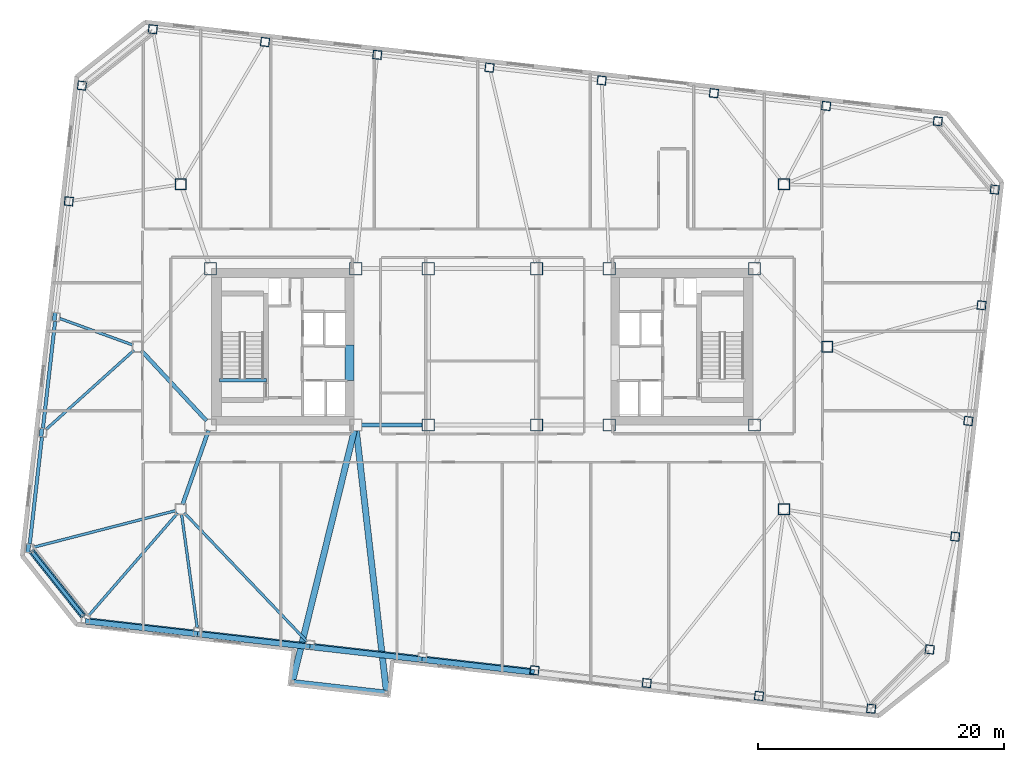
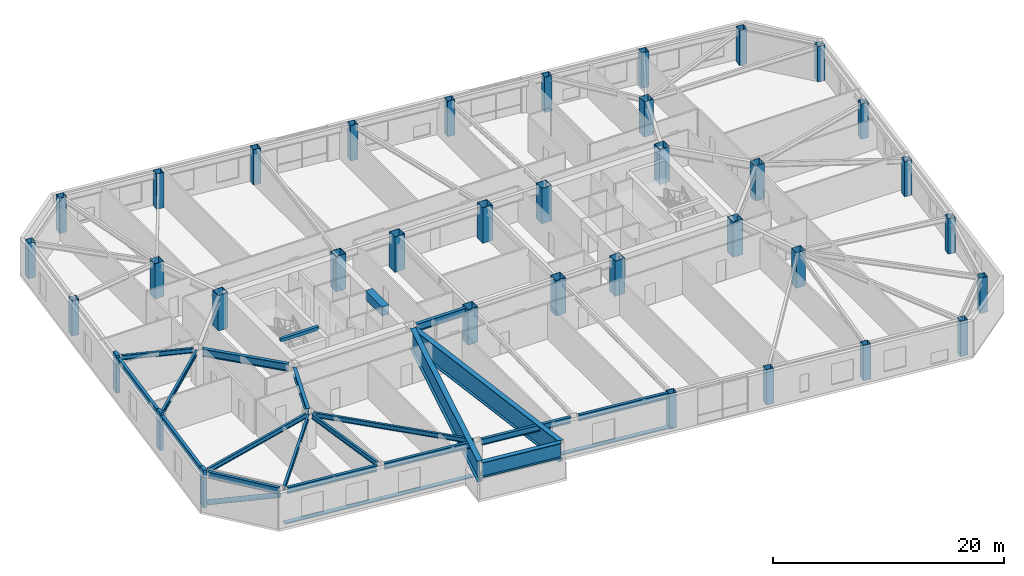
# One storey, part 2 of 19: 33 columns, 21 beams, 8 members.
"""IFC4 building model written with IfcOpenShell, lengths in metres."""

import ifcopenshell
import ifcopenshell.guid

model = None  # the IFC model being written
_history = None  # IfcOwnerHistory: only IFC2X3 demands one
_inside = {}  # id of a spatial element -> (the spatial element, [elements in it])
_under = {}  # id of a project, library or spatial element -> (it, [spatial elements below it])
_declared = {}  # id of a project -> (the project, [libraries it declares])
_typed = {}  # id of a type object -> (the type object, [elements of that type])
_made_of = {}  # id of a material, layer set ... -> (it, [elements and type objects made of it])


def new_model(schema):
    """Start an empty IFC model of exactly this schema.

    Asked for "IFC4X3", IfcOpenShell would pick the latest addendum, in which some entities
    have other attributes; the version numbers below select the first issue.
    IFC2X3 requires an IfcOwnerHistory on every rooted entity: one is made here for all.
    """
    global model, _history
    if schema == "IFC4X3":
        model = ifcopenshell.file(schema_version=(4, 3, 0, 0))
    else:
        model = ifcopenshell.file(schema=schema)
    _inside.clear()
    _under.clear()
    _declared.clear()
    _typed.clear()
    _made_of.clear()
    _history = None
    if model.schema == "IFC2X3":
        org = make("IfcOrganization", Name="unknown")
        user = make(
            "IfcPersonAndOrganization",
            ThePerson=make("IfcPerson", FamilyName="unknown"),
            TheOrganization=org,
        )
        app = make(
            "IfcApplication",
            ApplicationDeveloper=org,
            Version="unknown",
            ApplicationFullName="unknown",
            ApplicationIdentifier="unknown",
        )
        _history = make(
            "IfcOwnerHistory",
            OwningUser=user,
            OwningApplication=app,
            ChangeAction="ADDED",
            CreationDate=0,
        )
    return model


def make(cls, **values):
    """One entity of the class cls with the attributes given. An attribute that is None is left unset."""
    return model.create_entity(
        cls, **{name: value for name, value in values.items() if value is not None}
    )


def rooted(cls, **values):
    """An entity with a GlobalId (a new one), such as an element, a storey or a relation."""
    return make(cls, GlobalId=ifcopenshell.guid.new(), OwnerHistory=_history, **values)


def si_unit(unit_type, name, prefix=None):
    """IfcSIUnit, for example si_unit("LENGTHUNIT", "METRE", prefix="MILLI")."""
    return make("IfcSIUnit", UnitType=unit_type, Prefix=prefix, Name=name)


def assignment(units):
    """IfcUnitAssignment: the units of a project."""
    return None if units is None else make("IfcUnitAssignment", Units=units)


def point(xyz):
    """IfcCartesianPoint."""
    return None if xyz is None else make("IfcCartesianPoint", Coordinates=xyz)


def direction(xyz):
    """IfcDirection."""
    return None if xyz is None else make("IfcDirection", DirectionRatios=xyz)


def frame(location, z_axis=None, x_axis=None):
    """IfcAxis2Placement3D, a coordinate frame: its origin and axes. An axis left out is left unset."""
    return make(
        "IfcAxis2Placement3D",
        Location=point(location),
        Axis=direction(z_axis),
        RefDirection=direction(x_axis),
    )


def frame_2d(location, x_axis=None):
    """IfcAxis2Placement2D, a coordinate frame in the plane: its origin and x axis."""
    return make(
        "IfcAxis2Placement2D", Location=point(location), RefDirection=direction(x_axis)
    )


def origin():
    """The frame at (0, 0, 0) with its axes left unset."""
    return frame((0.0, 0.0, 0.0))


def origin_2d():
    """The frame at (0, 0) in the plane with its x axis left unset."""
    return frame_2d((0.0, 0.0))


def place(relative_to, where):
    """IfcLocalPlacement: puts the frame where relative to a parent placement (None: the world)."""
    return make(
        "IfcLocalPlacement", PlacementRelTo=relative_to, RelativePlacement=where
    )


def context(
    kind, dimensions, precision=None, world=None, true_north=None, identifier=None
):
    """IfcGeometricRepresentationContext, for example the 3D "Model" context."""
    return make(
        "IfcGeometricRepresentationContext",
        ContextIdentifier=identifier,
        ContextType=kind,
        CoordinateSpaceDimension=dimensions,
        Precision=precision,
        WorldCoordinateSystem=world,
        TrueNorth=true_north,
    )


def subcontext(parent, identifier, kind, view, scale=None):
    """IfcGeometricRepresentationSubContext, for example "Body" below "Model"."""
    return make(
        "IfcGeometricRepresentationSubContext",
        ContextIdentifier=identifier,
        ContextType=kind,
        ParentContext=parent,
        TargetScale=scale,
        TargetView=view,
    )


def project(units=None, contexts=None):
    """IfcProject with its units and contexts."""
    return rooted(
        "IfcProject",
        Name="project",
        RepresentationContexts=contexts,
        UnitsInContext=assignment(units),
    )


def spatial(cls, under=None, at=None, **own):
    """A site, building, storey or space (cls), placed at a placement, below another one or the project."""
    s = rooted(cls, ObjectPlacement=at, **own)
    if under is not None:
        _under.setdefault(under.id(), (under, []))[1].append(s)
    return s


def profile(cls, at=None, kind="AREA", **sizes):
    """A parametric profile (cls). Its sizes go by their IFC names, for example OverallWidth=200.0."""
    return make(cls, ProfileType=kind, Position=at, **sizes)


def rectangle(**sizes):
    """IfcRectangleProfileDef."""
    return profile("IfcRectangleProfileDef", **sizes)


def hollow_rectangle(**sizes):
    """IfcRectangleHollowProfileDef."""
    return profile("IfcRectangleHollowProfileDef", **sizes)


def hollow_circle(**sizes):
    """IfcCircleHollowProfileDef."""
    return profile("IfcCircleHollowProfileDef", **sizes)


def i_section(**sizes):
    """IfcIShapeProfileDef."""
    return profile("IfcIShapeProfileDef", **sizes)


def extrude(swept, where, along, depth):
    """IfcExtrudedAreaSolid: the profile swept, set in the frame where, extruded along a direction by depth."""
    return make(
        "IfcExtrudedAreaSolid",
        SweptArea=swept,
        Position=where,
        ExtrudedDirection=direction(along),
        Depth=depth,
    )


def shape(context_of_items, identifier, shape_type, items):
    """IfcShapeRepresentation: the items that make up one representation, for example the "Body"."""
    return make(
        "IfcShapeRepresentation",
        ContextOfItems=context_of_items,
        RepresentationIdentifier=identifier,
        RepresentationType=shape_type,
        Items=items,
    )


def material(Name=None, Category=None):
    """IfcMaterial."""
    return make("IfcMaterial", Name=Name, Category=Category)


def material_profile(
    of_material, cross_section, Name=None, Category=None, Priority=None
):
    """IfcMaterialProfile: a cross section and its material."""
    return make(
        "IfcMaterialProfile",
        Name=Name,
        Material=of_material,
        Profile=cross_section,
        Priority=Priority,
        Category=Category,
    )


def profile_set(profiles, Name=None, composite=None):
    """IfcMaterialProfileSet."""
    return make(
        "IfcMaterialProfileSet",
        Name=Name,
        MaterialProfiles=profiles,
        CompositeProfile=composite,
    )


def made_of(thing, what):
    """Note that an element or type object is made of a material, layer set ...; save() writes the relation."""
    if what is not None:
        _made_of.setdefault(what.id(), (what, []))[1].append(thing)
    return thing


def type_object(cls, material=None, **own):
    """A type object (cls), such as IfcWallType, which elements share."""
    return made_of(rooted(cls, **own), material)


def element(
    cls,
    number,
    at=None,
    inside=None,
    cuts=None,
    type_object=None,
    material=None,
    context=None,
    identifier="Body",
    shape_type=None,
    held_by="IfcProductDefinitionShape",
    body=None,
    shapes=None,
    **own,
):
    """One element of the class cls, such as IfcWall. Its Tag is "e" and its number.

    at: its placement. inside: the storey or other place that contains it. cuts: it is an
    opening in that element (IfcRelVoidsElement). A single representation is given by context,
    identifier, shape_type and body (its items); several are given by shapes. held_by: the class
    of the entity that holds the representations. save() writes the other relations.
    """
    e = rooted(cls, Tag="e%d" % number, ObjectPlacement=at, **own)
    if body is not None:
        shapes = [shape(context, identifier, shape_type, body)]
    if shapes is not None:
        e.Representation = make(held_by, Representations=shapes)
    if inside is not None:
        _inside.setdefault(inside.id(), (inside, []))[1].append(e)
    if cuts is not None:
        rooted(
            "IfcRelVoidsElement", RelatingBuildingElement=cuts, RelatedOpeningElement=e
        )
    if type_object is not None:
        _typed.setdefault(type_object.id(), (type_object, []))[1].append(e)
    return made_of(e, material)


def aggregate(whole, parts):
    """IfcRelAggregates: a whole, such as a stair, and the parts it consists of."""
    return rooted("IfcRelAggregates", RelatingObject=whole, RelatedObjects=parts)


def save(model, path):
    """Write the relations noted so far, then the file.

    IfcRelAggregates (storeys below a building ...), IfcRelContainedInSpatialStructure (elements
    in a storey), IfcRelDefinesByType, IfcRelAssociatesMaterial and IfcRelDeclares: one each for
    every whole, place, type object, material and project.
    """
    for whole, parts in _under.values():
        aggregate(whole, parts)
    for where, things in _inside.values():
        rooted(
            "IfcRelContainedInSpatialStructure",
            RelatedElements=things,
            RelatingStructure=where,
        )
    for kind, things in _typed.values():
        rooted("IfcRelDefinesByType", RelatedObjects=things, RelatingType=kind)
    for what, things in _made_of.values():
        rooted("IfcRelAssociatesMaterial", RelatedObjects=things, RelatingMaterial=what)
    for by, libraries in _declared.values():
        rooted("IfcRelDeclares", RelatingContext=by, RelatedDefinitions=libraries)
    model.write(path)


model = new_model("IFC4")

# Units and contexts
model_context = context("Model", 3, precision=1e-05, world=origin(), true_north=direction((0.0, 1.0)))
body_context = subcontext(model_context, "Body", "Model", "MODEL_VIEW")
ifc_project = project(units=[si_unit("LENGTHUNIT", "METRE"), si_unit("AREAUNIT", "SQUARE_METRE"), si_unit("VOLUMEUNIT", "CUBIC_METRE"), si_unit("PLANEANGLEUNIT", "RADIAN"), si_unit("MASSUNIT", "GRAM", prefix="KILO")], contexts=[model_context])

# Site, building, storey
site_placement = place(None, origin())
site = spatial("IfcSite", under=ifc_project, at=site_placement, CompositionType="ELEMENT")
building_placement = place(site_placement, origin())
building = spatial("IfcBuilding", under=site, at=building_placement, Name="Tavrogorsk Clinical Tower", CompositionType="ELEMENT")
storey_placement = place(building_placement, frame((0.0, 0.0, 97.39990234375)))
storey = spatial("IfcBuildingStorey", under=building, at=storey_placement, Name="L21", CompositionType="ELEMENT", Elevation=97.39990234375)

# Columns
ifc_material_1 = material(Name="Structural steel S440", Category="steel")
ifc_material_profile_1 = material_profile(ifc_material_1, hollow_rectangle(XDim=1.0, YDim=1.0, WallThickness=0.044921875, at=origin_2d()), Name="BOX-1000x1000x45")
ifc_profile_set_1 = profile_set([ifc_material_profile_1], Name="Structural steel S440")
column_type_1 = type_object("IfcColumnType", Name="MegaCol_BOX1000", PredefinedType="COLUMN", material=ifc_profile_set_1)
for number, where, z_axis, x_axis, name in (
    (1, (-22.10009765625, 6.35009765625, 0.0), (0.0, 0.0, 1.0), (1.0, 0.0, 0.0), "L21 Mega Column MC-W2"),
    (2, (-10.300048828125, 6.35009765625, 0.0), (0.0, 0.0, 1.0), (1.0, 0.0, 0.0), "L21 Mega Column MC-W4"),
    (3, (10.300048828125, -6.35009765625, 0.0), (0.0, 0.0, 1.0), (1.0, 0.0, 0.0), "L21 Mega Column MC-E1"),
    (4, (10.300048828125, 6.35009765625, 0.0), (0.0, 0.0, 1.0), (1.0, 0.0, 0.0), "L21 Mega Column MC-E2"),
    (5, (22.10009765625, -6.35009765625, 0.0), (0.0, 0.0, 1.0), (1.0, 0.0, 0.0), "L21 Mega Column MC-E3"),
    (6, (22.10009765625, 6.35009765625, 0.0), (0.0, 0.0, 1.0), (1.0, 0.0, 0.0), "L21 Mega Column MC-E4"),
    (7, (-4.39990234375, -6.35009765625, 0.0), (0.0, 0.0, 1.0), (1.0, 0.0, 0.0), "L21 Mega Column MC-C1"),
    (8, (4.39990234375, -6.35009765625, 0.0), (0.0, 0.0, 1.0), (1.0, 0.0, 0.0), "L21 Mega Column MC-C2"),
    (9, (-4.39990234375, 6.35009765625, 0.0), (0.0, 0.0, 1.0), (1.0, 0.0, 0.0), "L21 Mega Column MC-C3"),
    (10, (4.39990234375, 6.35009765625, 0.0), (0.0, 0.0, 1.0), (1.0, 0.0, 0.0), "L21 Mega Column MC-C4"),
):
    element("IfcColumn", number, at=place(storey_placement, frame(where, z_axis=z_axis, x_axis=x_axis)), inside=storey, type_object=column_type_1, Name=name, PredefinedType="COLUMN", context=body_context, shape_type="SweptSolid", body=[
        extrude(hollow_rectangle(XDim=1.0, YDim=1.0, WallThickness=0.044921875, at=origin_2d()), origin(), (0.0, 0.0, 1.0), 3.739990234375),
    ])
ifc_material_2 = material(Name="Structural steel S440", Category="steel")
ifc_material_profile_2 = material_profile(ifc_material_2, hollow_rectangle(XDim=0.89990234375, YDim=0.89990234375, WallThickness=0.0400390625, at=origin_2d()), Name="BOX-900x900x40")
ifc_profile_set_2 = profile_set([ifc_material_profile_2], Name="Structural steel S440")
column_type_2 = type_object("IfcColumnType", Name="MegaCol_BOX900", PredefinedType="COLUMN", material=ifc_profile_set_2)
for number, where, z_axis, x_axis, name in (
    (11, (24.5, -13.199951171875, 0.0), (0.0, 0.0, 1.0), (1.0, 0.0, 0.0), "L21 Spine Pilotis Column MC-P2"),
    (12, (-24.5, 13.199951171875, 0.0), (0.0, 0.0, 1.0), (1.0, 0.0, 0.0), "L21 Spine Pilotis Column MC-P3"),
    (13, (24.5, 13.199951171875, 0.0), (0.0, 0.0, 1.0), (1.0, 0.0, 0.0), "L21 Spine Pilotis Column MC-P4"),
    (14, (28.0, 0.0, 0.0), (0.0, 0.0, 1.0), (1.0, 0.0, 0.0), "L21 Spine Pilotis Column MC-P6"),
):
    element("IfcColumn", number, at=place(storey_placement, frame(where, z_axis=z_axis, x_axis=x_axis)), inside=storey, type_object=column_type_2, Name=name, PredefinedType="COLUMN", context=body_context, shape_type="SweptSolid", body=[
        extrude(hollow_rectangle(XDim=0.89990234375, YDim=0.89990234375, WallThickness=0.0400390625, at=origin_2d()), origin(), (0.0, 0.0, 1.0), 3.739990234375),
    ])
ifc_material_3 = material(Name="Structural steel S440", Category="steel")
ifc_material_profile_3 = material_profile(ifc_material_3, hollow_rectangle(XDim=0.699951171875, YDim=0.699951171875, WallThickness=0.031982421875, at=origin_2d()), Name="BOX-700x700x32")
ifc_profile_set_3 = profile_set([ifc_material_profile_3], Name="Structural steel S440")
column_type_3 = type_object("IfcColumnType", Name="PerimCol_B2_BOX700", PredefinedType="COLUMN", material=ifc_profile_set_3)
for number, where, z_axis, x_axis, name in (
    (15, (4.228515625, -26.284423828125, 0.0), (0.0, 0.0, 1.0), (0.993571855677, -0.113203213768, 0.0), "L21 Perimeter Column S5"),
    (16, (13.3466796875, -27.3232421875, 0.0), (0.0, 0.0, 1.0), (0.993571855677, -0.113203213768, 0.0), "L21 Perimeter Column S6"),
    (17, (22.465087890625, -28.3623046875, 0.0), (0.0, 0.0, 1.0), (0.993571855677, -0.113203213768, 0.0), "L21 Perimeter Column S7"),
    (18, (31.5830078125, -29.40087890625, 0.0), (0.0, 0.0, 1.0), (0.993571855677, -0.113203213768, 0.0), "L21 Perimeter Column S8"),
    (19, (36.99658203125, 18.323486328125, 0.0), (0.0, 0.0, 1.0), (0.993571855677, -0.113203213768, 0.0), "L21 Perimeter Column N1"),
    (20, (27.92578125, 19.567626953125, 0.0), (0.0, 0.0, 1.0), (0.993571855677, -0.113203213768, 0.0), "L21 Perimeter Column N2"),
    (21, (18.8076171875, 20.606689453125, 0.0), (0.0, 0.0, 1.0), (0.993571855677, -0.113203213768, 0.0), "L21 Perimeter Column N3"),
    (22, (9.689697265625, 21.6455078125, 0.0), (0.0, 0.0, 1.0), (0.993571855677, -0.113203213768, 0.0), "L21 Perimeter Column N4"),
    (23, (0.5712890625, 22.684326171875, 0.0), (0.0, 0.0, 1.0), (0.993571855677, -0.113203213768, 0.0), "L21 Perimeter Column N5"),
    (24, (-8.546875, 23.723388671875, 0.0), (0.0, 0.0, 1.0), (0.993571855677, -0.113203213768, 0.0), "L21 Perimeter Column N6"),
    (25, (-17.6650390625, 24.76220703125, 0.0), (0.0, 0.0, 1.0), (0.993571855677, -0.113203213768, 0.0), "L21 Perimeter Column N7"),
    (26, (-26.783203125, 25.801025390625, 0.0), (0.0, 0.0, 1.0), (0.993571855677, -0.113203213768, 0.0), "L21 Perimeter Column N8"),
    (27, (36.335693359375, -24.591796875, 0.0), (0.0, 0.0, 1.0), (0.993571855677, -0.113203213768, 0.0), "L21 Perimeter Column E1"),
    (28, (38.4091796875, -15.423828125, 0.0), (0.0, 0.0, 1.0), (0.993571855677, -0.113203213768, 0.0), "L21 Perimeter Column E2"),
    (29, (39.47998046875, -6.024658203125, 0.0), (0.0, 0.0, 1.0), (0.993571855677, -0.113203213768, 0.0), "L21 Perimeter Column E3"),
    (30, (40.551025390625, 3.37451171875, 0.0), (0.0, 0.0, 1.0), (0.993571855677, -0.113203213768, 0.0), "L21 Perimeter Column E4"),
    (31, (41.621826171875, 12.773681640625, 0.0), (0.0, 0.0, 1.0), (0.993571855677, -0.113203213768, 0.0), "L21 Perimeter Column E5"),
    (32, (-32.538330078125, 21.22314453125, 0.0), (0.0, 0.0, 1.0), (0.993571855677, -0.113203213768, 0.0), "L21 Perimeter Column W1"),
    (33, (-33.609130859375, 11.823974609375, 0.0), (0.0, 0.0, 1.0), (0.993571855677, -0.113203213768, 0.0), "L21 Perimeter Column W2"),
):
    element("IfcColumn", number, at=place(storey_placement, frame(where, z_axis=z_axis, x_axis=x_axis)), inside=storey, type_object=column_type_3, Name=name, PredefinedType="COLUMN", context=body_context, shape_type="SweptSolid", body=[
        extrude(hollow_rectangle(XDim=0.699951171875, YDim=0.699951171875, WallThickness=0.031982421875, at=origin_2d()), origin(), (0.0, 0.0, 1.0), 3.739990234375),
    ])

# Members
ifc_material_4 = material(Name="Anodised aluminium alloy AW-6063", Category="aluminium")
ifc_material_profile_4 = material_profile(ifc_material_4, rectangle(XDim=0.449951171875, YDim=0.1201171875, at=origin_2d()), Name="ALU-SUNSHADE-450x120")
ifc_profile_set_4 = profile_set([ifc_material_profile_4], Name="Anodised aluminium alloy AW-6063")
member_type_1 = type_object("IfcMemberType", Name="ChicagoSunshade_450x120", PredefinedType="USERDEFINED", material=ifc_profile_set_4)
for number, where, z_axis, x_axis, name in (
    (34, (-32.264404296875, -22.3076171875, 0.18017578125), (0.993572654864, -0.113196199166, 0.0), (0.113196199166, 0.993572654864, 0.0), "L21 South Aluminium Sunshade S1"),
    (35, (-23.146240234375, -23.346435546875, 0.18017578125), (0.993569662511, -0.113222461274, 0.0), (0.113222461274, 0.993569662511, 0.0), "L21 South Aluminium Sunshade S2"),
    (36, (-14.028076171875, -24.385498046875, 0.18017578125), (0.993572654864, -0.113196199166, 0.0), (0.113196199166, 0.993572654864, 0.0), "L21 South Aluminium Sunshade S3"),
    (37, (-4.909912109375, -25.42431640625, 0.18017578125), (0.993572654864, -0.113196199166, 0.0), (0.113196199166, 0.993572654864, 0.0), "L21 South Aluminium Sunshade S4"),
):
    element("IfcMember", number, at=place(storey_placement, frame(where, z_axis=z_axis, x_axis=x_axis)), inside=storey, type_object=member_type_1, Name=name, ObjectType="SUNSHADE", PredefinedType="USERDEFINED", context=body_context, shape_type="SweptSolid", body=[
        extrude(rectangle(XDim=0.449951171875, YDim=0.1201171875, at=origin_2d()), origin(), (0.0, 0.0, 1.0), 9.17724609375),
    ])

# Beam
ifc_material_5 = material(Name="Concrete B80", Category="concrete")
ifc_material_profile_5 = material_profile(ifc_material_5, rectangle(XDim=0.699951171875, YDim=0.949951171875, at=origin_2d()), Name="RC-CB-700x950")
ifc_profile_set_5 = profile_set([ifc_material_profile_5], Name="Concrete B80")
beam_type_1 = type_object("IfcBeamType", Name="CouplingBeam_RC700x950", PredefinedType="LINTEL", material=ifc_profile_set_5)
beam_1_placement = place(storey_placement, frame((-10.800048828125, -2.75, 3.26513671875), z_axis=(0.0, 1.0, 0.0), x_axis=(-1.0, 0.0, 0.0)))
element("IfcBeam", 38, at=beam_1_placement, inside=storey, type_object=beam_type_1, Name="L21 Core West Coupling Beam", PredefinedType="LINTEL", context=body_context, shape_type="SweptSolid", body=[
    extrude(rectangle(XDim=0.699951171875, YDim=0.949951171875, at=origin_2d()), origin(), (0.0, 0.0, 1.0), 2.89990234375),
])

# Member
ifc_material_6 = material(Name="Structural steel S440", Category="steel")
ifc_material_profile_6 = material_profile(ifc_material_6, hollow_circle(Radius=0.25390625, WallThickness=0.02001953125, at=origin_2d()), Name="CHS-508x20")
ifc_profile_set_6 = profile_set([ifc_material_profile_6], Name="Structural steel S440")
member_type_2 = type_object("IfcMemberType", Name="ExoBrace_CHS508", PredefinedType="BRACE", material=ifc_profile_set_6)
member_placement = place(storey_placement, frame((-36.613037109375, -16.63623046875, 0.425048828125), z_axis=(0.583326985798, -0.73336936718, 0.349140371371), x_axis=(0.782619256143, 0.622500682662, 0.0)))
element("IfcMember", 39, at=member_placement, inside=storey, type_object=member_type_2, Name="L21 Corner Exoskeleton Brace W5-S1", PredefinedType="BRACE", context=body_context, shape_type="SweptSolid", body=[
    extrude(hollow_circle(Radius=0.25390625, WallThickness=0.02001953125, at=origin_2d()), origin(), (0.0, 0.0, 1.0), 7.1318359375),
])

# Beams
ifc_material_7 = material(Name="Structural steel S355", Category="steel")
ifc_material_profile_7 = material_profile(ifc_material_7, i_section(OverallWidth=0.219970703125, OverallDepth=0.5, WebThickness=0.012939453125, FlangeThickness=0.02001953125, at=origin_2d()), Name="B-500x220x13x20")
ifc_profile_set_7 = profile_set([ifc_material_profile_7], Name="Structural steel S355")
beam_type_2 = type_object("IfcBeamType", Name="FloorBeam_B500", PredefinedType="BEAM", material=ifc_profile_set_7)
beam_2_placement = place(storey_placement, frame((-24.7685546875, -13.509765625, 3.489990234375), z_axis=(-0.655213926096, -0.755443387058, 0.0), x_axis=(0.755443387058, -0.655213926096, 0.0)))
element("IfcBeam", 40, at=beam_2_placement, inside=storey, type_object=beam_type_2, Name="L21 Radial Floor Beam S1", PredefinedType="BEAM", context=body_context, shape_type="SweptSolid", body=[
    extrude(i_section(OverallWidth=0.219970703125, OverallDepth=0.5, WebThickness=0.012939453125, FlangeThickness=0.02001953125, at=origin_2d()), origin(), (0.0, 0.0, 1.0), 11.05126953125),
])
beam_3_placement = place(storey_placement, frame((-24.444091796875, -13.606201171875, 3.489990234375), z_axis=(0.136572505989, -0.990630077581, 0.0), x_axis=(0.990630077581, 0.136572505989, 0.0)))
element("IfcBeam", 41, at=beam_3_placement, inside=storey, type_object=beam_type_2, Name="L21 Radial Floor Beam S2", PredefinedType="BEAM", context=body_context, shape_type="SweptSolid", body=[
    extrude(i_section(OverallWidth=0.219970703125, OverallDepth=0.5, WebThickness=0.012939453125, FlangeThickness=0.02001953125, at=origin_2d()), origin(), (0.0, 0.0, 1.0), 9.2939453125),
])
beam_4_placement = place(storey_placement, frame((-24.217041015625, -13.496826171875, 3.489990234375), z_axis=(0.689995410805, -0.723813741972, 0.0), x_axis=(0.723813741972, 0.689995410805, 0.0)))
element("IfcBeam", 42, at=beam_4_placement, inside=storey, type_object=beam_type_2, Name="L21 Radial Floor Beam S3", PredefinedType="BEAM", context=body_context, shape_type="SweptSolid", body=[
    extrude(i_section(OverallWidth=0.219970703125, OverallDepth=0.5, WebThickness=0.012939453125, FlangeThickness=0.02001953125, at=origin_2d()), origin(), (0.0, 0.0, 1.0), 14.4384765625),
])
beam_5_placement = place(storey_placement, frame((-28.385498046875, 0.139892578125, 3.489990234375), z_axis=(-0.939993443432, 0.341192506225, 0.0), x_axis=(-0.341192506225, -0.939993443432, 0.0)))
element("IfcBeam", 43, at=beam_5_placement, inside=storey, type_object=beam_type_2, Name="L21 Radial Floor Beam W3", PredefinedType="BEAM", context=body_context, shape_type="SweptSolid", body=[
    extrude(i_section(OverallWidth=0.219970703125, OverallDepth=0.5, WebThickness=0.012939453125, FlangeThickness=0.02001953125, at=origin_2d()), origin(), (0.0, 0.0, 1.0), 6.33837890625),
])
beam_6_placement = place(storey_placement, frame((-28.3046875, -0.274169921875, 3.489990234375), z_axis=(-0.743369550828, -0.668880939257, 0.0), x_axis=(0.668880939257, -0.743369550828, 0.0)))
element("IfcBeam", 44, at=beam_6_placement, inside=storey, type_object=beam_type_2, Name="L21 Radial Floor Beam W4", PredefinedType="BEAM", context=body_context, shape_type="SweptSolid", body=[
    extrude(i_section(OverallWidth=0.219970703125, OverallDepth=0.5, WebThickness=0.012939453125, FlangeThickness=0.02001953125, at=origin_2d()), origin(), (0.0, 0.0, 1.0), 9.658935546875),
])
beam_7_placement = place(storey_placement, frame((-24.89697265625, -13.30224609375, 3.489990234375), z_axis=(-0.968393085087, -0.24942901346, 0.0), x_axis=(0.24942901346, -0.968393085087, 0.0)))
element("IfcBeam", 45, at=beam_7_placement, inside=storey, type_object=beam_type_2, Name="L21 Radial Floor Beam W5", PredefinedType="BEAM", context=body_context, shape_type="SweptSolid", body=[
    extrude(i_section(OverallWidth=0.219970703125, OverallDepth=0.5, WebThickness=0.012939453125, FlangeThickness=0.02001953125, at=origin_2d()), origin(), (0.0, 0.0, 1.0), 11.9560546875),
])

# Members
ifc_material_8 = material(Name="Precast concrete B45 with limestone cladding", Category="masonry")
ifc_material_profile_8 = material_profile(ifc_material_8, rectangle(XDim=0.320068359375, YDim=0.719970703125, at=origin_2d()), Name="LIMESTONE-FIN-320x720")
ifc_profile_set_8 = profile_set([ifc_material_profile_8], Name="Precast concrete B45 with limestone cladding")
member_type_3 = type_object("IfcMemberType", Name="LimestonePleatFin_320x720", PredefinedType="USERDEFINED", material=ifc_profile_set_8)
for number, where, z_axis, x_axis, name in (
    (46, (-34.759521484375, 2.433837890625, 0.0), (0.0, 0.0, 1.0), (0.993571855677, -0.113203213768, 0.0), "L21 W Pleated Stone Fin 2"),
    (47, (-35.83056640625, -6.96533203125, 0.0), (0.0, 0.0, 1.0), (0.993571855677, -0.113203213768, 0.0), "L21 W Pleated Stone Fin 3"),
    (48, (-36.9013671875, -16.364501953125, 0.0), (0.0, 0.0, 1.0), (0.993571855677, -0.113203213768, 0.0), "L21 W Pleated Stone Fin 4"),
):
    element("IfcMember", number, at=place(storey_placement, frame(where, z_axis=z_axis, x_axis=x_axis)), inside=storey, type_object=member_type_3, Name=name, ObjectType="FIN", PredefinedType="USERDEFINED", context=body_context, shape_type="SweptSolid", body=[
        extrude(rectangle(XDim=0.320068359375, YDim=0.719970703125, at=origin_2d()), origin(), (0.0, 0.0, 1.0), 4.0),
    ])

# Beams
ifc_material_9 = material(Name="Structural steel S390", Category="steel")
ifc_material_profile_9 = material_profile(ifc_material_9, i_section(OverallWidth=0.320068359375, OverallDepth=0.800048828125, WebThickness=0.02001953125, FlangeThickness=0.033935546875, at=origin_2d()), Name="B-800x320x20x34")
ifc_profile_set_9 = profile_set([ifc_material_profile_9], Name="Structural steel S390")
beam_type_3 = type_object("IfcBeamType", Name="PrimaryGirder_B800", PredefinedType="USERDEFINED", material=ifc_profile_set_9)
beam_8_placement = place(storey_placement, frame((-9.840087890625, -6.35009765625, 3.340087890625), z_axis=(1.0, 0.0, 0.0), x_axis=(0.0, 1.0, 0.0)))
element("IfcBeam", 49, at=beam_8_placement, inside=storey, type_object=beam_type_3, Name="L21 Primary Spine Girder MG-01", ObjectType="GIRDER", PredefinedType="USERDEFINED", context=body_context, shape_type="SweptSolid", body=[
    extrude(i_section(OverallWidth=0.320068359375, OverallDepth=0.800048828125, WebThickness=0.02001953125, FlangeThickness=0.033935546875, at=origin_2d()), origin(), (0.0, 0.0, 1.0), 4.97998046875),
])
beam_9_placement = place(storey_placement, frame((-24.364501953125, -12.81298828125, 3.340087890625), z_axis=(0.330660234815, 0.943749865755, 0.0), x_axis=(-0.943749865755, 0.330660234815, 0.0)))
element("IfcBeam", 50, at=beam_9_placement, inside=storey, type_object=beam_type_3, Name="L21 Spine Link Girder OPG-1", ObjectType="GIRDER", PredefinedType="USERDEFINED", context=body_context, shape_type="SweptSolid", body=[
    extrude(i_section(OverallWidth=0.320068359375, OverallDepth=0.800048828125, WebThickness=0.02001953125, FlangeThickness=0.033935546875, at=origin_2d()), origin(), (0.0, 0.0, 1.0), 6.38818359375),
])
beam_10_placement = place(storey_placement, frame((-27.720947265625, -0.30029296875, 3.340087890625), z_axis=(0.680675630035, -0.732584934787, 0.0), x_axis=(0.732584934787, 0.680675630035, 0.0)))
element("IfcBeam", 51, at=beam_10_placement, inside=storey, type_object=beam_type_3, Name="L21 Spine Link Girder OPG-5", ObjectType="GIRDER", PredefinedType="USERDEFINED", context=body_context, shape_type="SweptSolid", body=[
    extrude(i_section(OverallWidth=0.320068359375, OverallDepth=0.800048828125, WebThickness=0.02001953125, FlangeThickness=0.033935546875, at=origin_2d()), origin(), (0.0, 0.0, 1.0), 7.7978515625),
])
ifc_material_10 = material(Name="Structural steel S390", Category="steel")
ifc_material_profile_10 = material_profile(ifc_material_10, i_section(OverallWidth=0.280029296875, OverallDepth=0.64990234375, WebThickness=0.01611328125, FlangeThickness=0.02490234375, at=origin_2d()), Name="B-650x280x16x25")
ifc_profile_set_10 = profile_set([ifc_material_profile_10], Name="Structural steel S390")
beam_type_4 = type_object("IfcBeamType", Name="SpandrelBeam_B650", PredefinedType="SPANDREL", material=ifc_profile_set_10)
beam_11_placement = place(storey_placement, frame((-31.88818359375, -22.16943359375, 3.4150390625), z_axis=(0.99357232562, -0.113199089054, 0.0), x_axis=(0.113199089054, 0.99357232562, 0.0)))
element("IfcBeam", 52, at=beam_11_placement, inside=storey, type_object=beam_type_4, Name="L21 Perimeter Spandrel S1-S2", PredefinedType="SPANDREL", context=body_context, shape_type="SweptSolid", body=[
    extrude(i_section(OverallWidth=0.280029296875, OverallDepth=0.64990234375, WebThickness=0.01611328125, FlangeThickness=0.02490234375, at=origin_2d()), origin(), (0.0, 0.0, 1.0), 8.4609375),
])
beam_12_placement = place(storey_placement, frame((-22.770263671875, -23.208251953125, 3.4150390625), z_axis=(0.99357306506, -0.113192598642, 0.0), x_axis=(0.113192598642, 0.99357306506, 0.0)))
element("IfcBeam", 53, at=beam_12_placement, inside=storey, type_object=beam_type_4, Name="L21 Perimeter Spandrel S2-S3", PredefinedType="SPANDREL", context=body_context, shape_type="SweptSolid", body=[
    extrude(i_section(OverallWidth=0.280029296875, OverallDepth=0.64990234375, WebThickness=0.01611328125, FlangeThickness=0.02490234375, at=origin_2d()), origin(), (0.0, 0.0, 1.0), 8.46142578125),
])
for number, where, z_axis, x_axis, name in (
    (54, (-13.652099609375, -24.2470703125, 3.4150390625), (0.993569449752, -0.113224328304, 0.0), (0.113224328304, 0.993569449752, 0.0), "L21 Perimeter Spandrel S3-S4"),
    (55, (-4.533935546875, -25.2861328125, 3.4150390625), (0.993572695356, -0.113195843756, 0.0), (0.113195843756, 0.993572695356, 0.0), "L21 Perimeter Spandrel S4-S5"),
):
    element("IfcBeam", number, at=place(storey_placement, frame(where, z_axis=z_axis, x_axis=x_axis)), inside=storey, type_object=beam_type_4, Name=name, PredefinedType="SPANDREL", context=body_context, shape_type="SweptSolid", body=[
        extrude(i_section(OverallWidth=0.280029296875, OverallDepth=0.64990234375, WebThickness=0.01611328125, FlangeThickness=0.02490234375, at=origin_2d()), origin(), (0.0, 0.0, 1.0), 8.461181640625),
    ])
for number, where, z_axis, x_axis, name in (
    (56, (-34.720703125, 2.069091796875, 3.4150390625), (-0.113192226434, -0.993573107464, 0.0), (0.993573107464, -0.113192226434, 0.0), "L21 Perimeter Spandrel W3-W4"),
    (57, (-35.79150390625, -7.330078125, 3.4150390625), (-0.113192226434, -0.993573107464, 0.0), (0.993573107464, -0.113192226434, 0.0), "L21 Perimeter Spandrel W4-W5"),
):
    element("IfcBeam", number, at=place(storey_placement, frame(where, z_axis=z_axis, x_axis=x_axis)), inside=storey, type_object=beam_type_4, Name=name, PredefinedType="SPANDREL", context=body_context, shape_type="SweptSolid", body=[
        extrude(i_section(OverallWidth=0.280029296875, OverallDepth=0.64990234375, WebThickness=0.01611328125, FlangeThickness=0.02490234375, at=origin_2d()), origin(), (0.0, 0.0, 1.0), 8.743896484375),
    ])
beam_13_placement = place(storey_placement, frame((-36.59912109375, -16.65380859375, 3.4150390625), z_axis=(0.622530733212, -0.782595352788, 0.0), x_axis=(0.782595352788, 0.622530733212, 0.0)))
element("IfcBeam", 58, at=beam_13_placement, inside=storey, type_object=beam_type_4, Name="L21 Perimeter Spandrel W5-S1", PredefinedType="SPANDREL", context=body_context, shape_type="SweptSolid", body=[
    extrude(i_section(OverallWidth=0.280029296875, OverallDepth=0.64990234375, WebThickness=0.01611328125, FlangeThickness=0.02490234375, at=origin_2d()), origin(), (0.0, 0.0, 1.0), 6.637939453125),
])
ifc_material_11 = material(Name="Concrete B60", Category="concrete")
ifc_material_profile_11 = material_profile(ifc_material_11, rectangle(XDim=0.300048828125, YDim=0.35009765625, at=origin_2d()), Name="RC-SHB-300x350")
ifc_profile_set_11 = profile_set([ifc_material_profile_11], Name="Concrete B60")
beam_type_5 = type_object("IfcBeamType", Name="StairHeaderBeam_RC300x350", PredefinedType="BEAM", material=ifc_profile_set_11)
beam_14_placement = place(storey_placement, frame((-21.35009765625, -2.719970703125, 3.8251953125), z_axis=(1.0, 0.0, 0.0), x_axis=(0.0, 1.0, 0.0)))
element("IfcBeam", 59, at=beam_14_placement, inside=storey, type_object=beam_type_5, Name="L22 ST-W Landing Header Beam", PredefinedType="BEAM", context=body_context, shape_type="SweptSolid", body=[
    extrude(rectangle(XDim=0.300048828125, YDim=0.35009765625, at=origin_2d()), origin(), (0.0, 0.0, 1.0), 3.800048828125),
])
ifc_material_12 = material(Name="Structural steel S440", Category="steel")
ifc_material_profile_12 = material_profile(ifc_material_12, i_section(OverallWidth=0.449951171875, OverallDepth=1.60009765625, WebThickness=0.031982421875, FlangeThickness=0.050048828125, at=origin_2d()), Name="DK-1600x450x32x50")
ifc_profile_set_12 = profile_set([ifc_material_profile_12], Name="Structural steel S440")
beam_type_6 = type_object("IfcBeamType", Name="TransferGirder_DK1600", PredefinedType="USERDEFINED", material=ifc_profile_set_12)
beam_15_placement = place(storey_placement, frame((-15.32568359375, -27.257080078125, 2.940185546875), z_axis=(0.993571749414, -0.113204146422, 0.0), x_axis=(0.113204146422, 0.993571749414, 0.0)))
element("IfcBeam", 60, at=beam_15_placement, inside=storey, type_object=beam_type_6, Name="L21 Day-Room Front Edge Beam DRB-03", ObjectType="GIRDER", PredefinedType="USERDEFINED", context=body_context, shape_type="SweptSolid", body=[
    extrude(i_section(OverallWidth=0.449951171875, OverallDepth=1.60009765625, WebThickness=0.031982421875, FlangeThickness=0.050048828125, at=origin_2d()), origin(), (0.0, 0.0, 1.0), 7.459716796875),
])
ifc_material_13 = material(Name="Structural steel S440", Category="steel")
ifc_material_profile_13 = material_profile(ifc_material_13, i_section(OverallWidth=0.5, OverallDepth=2.199951171875, WebThickness=0.035888671875, FlangeThickness=0.054931640625, at=origin_2d()), Name="DK-2200x500x36x55")
ifc_profile_set_13 = profile_set([ifc_material_profile_13], Name="Structural steel S440")
beam_type_7 = type_object("IfcBeamType", Name="TransferGirder_DK2200", PredefinedType="USERDEFINED", material=ifc_profile_set_13)
beam_16_placement = place(storey_placement, frame((-10.409912109375, -6.796630859375, 2.64013671875), z_axis=(-0.239115041261, -0.970991244576, 0.0), x_axis=(0.970991244576, -0.239115041261, 0.0)))
element("IfcBeam", 61, at=beam_16_placement, inside=storey, type_object=beam_type_7, Name="L21 Day-Room Cantilever Beam DRB-03-L", ObjectType="GIRDER", PredefinedType="USERDEFINED", context=body_context, shape_type="SweptSolid", body=[
    extrude(i_section(OverallWidth=0.5, OverallDepth=2.199951171875, WebThickness=0.035888671875, FlangeThickness=0.054931640625, at=origin_2d()), origin(), (0.0, 0.0, 1.0), 20.91748046875),
])
beam_17_placement = place(storey_placement, frame((-10.247314453125, -6.806884765625, 2.64013671875), z_axis=(0.114354048971, -0.993440059331, 0.0), x_axis=(0.993440059331, 0.114354048971, 0.0)))
element("IfcBeam", 62, at=beam_17_placement, inside=storey, type_object=beam_type_7, Name="L21 Day-Room Cantilever Beam DRB-03-R", ObjectType="GIRDER", PredefinedType="USERDEFINED", context=body_context, shape_type="SweptSolid", body=[
    extrude(i_section(OverallWidth=0.5, OverallDepth=2.199951171875, WebThickness=0.035888671875, FlangeThickness=0.054931640625, at=origin_2d()), origin(), (0.0, 0.0, 1.0), 21.30908203125),
])

save(model, "model.ifc")
